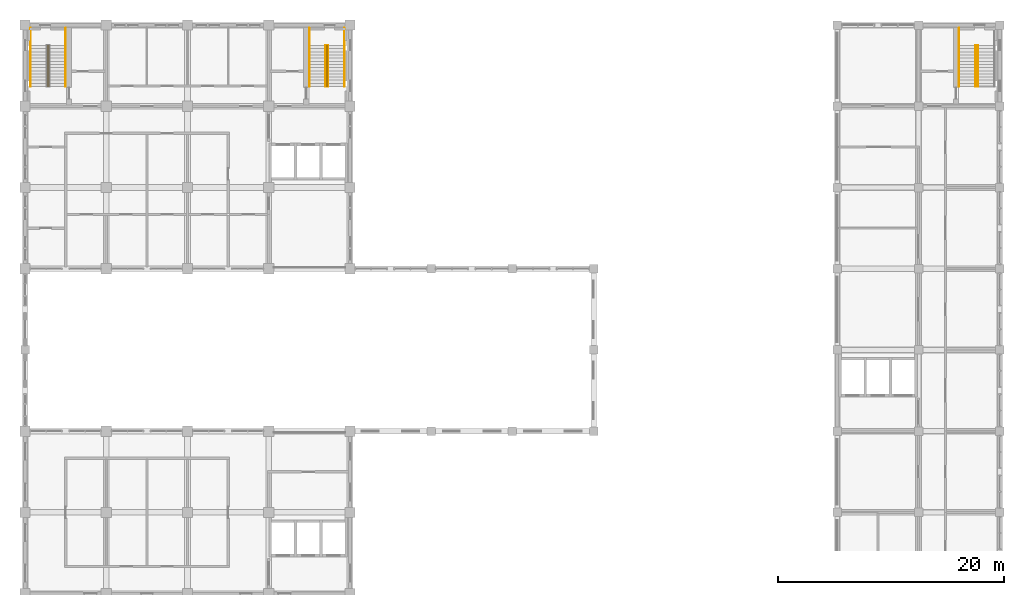
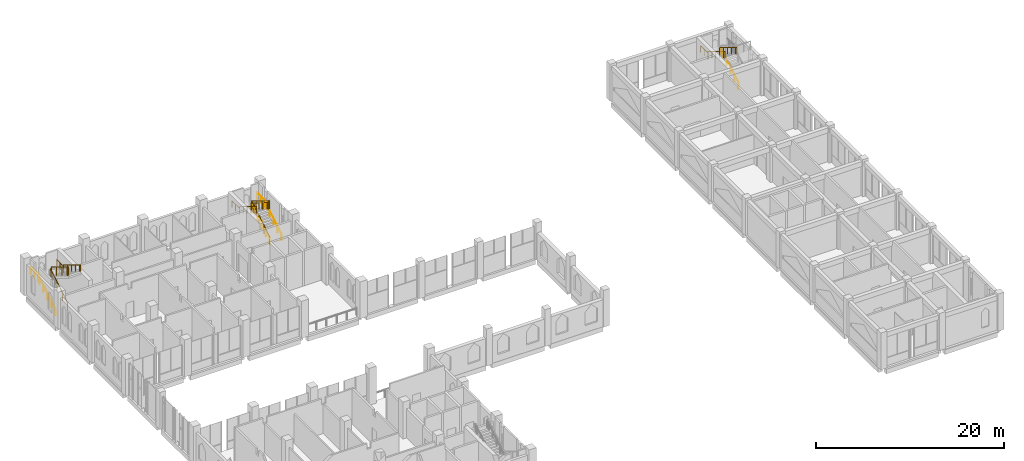
# One storey, part 38 of 39: 11 railings.
"""IFC4 building model written with IfcOpenShell, lengths in metres."""

import ifcopenshell
import ifcopenshell.guid

model = None  # the IFC model being written
_history = None  # IfcOwnerHistory: only IFC2X3 demands one
_inside = {}  # id of a spatial element -> (the spatial element, [elements in it])
_under = {}  # id of a project, library or spatial element -> (it, [spatial elements below it])
_declared = {}  # id of a project -> (the project, [libraries it declares])
_typed = {}  # id of a type object -> (the type object, [elements of that type])
_made_of = {}  # id of a material, layer set ... -> (it, [elements and type objects made of it])


def new_model(schema):
    """Start an empty IFC model of exactly this schema.

    Asked for "IFC4X3", IfcOpenShell would pick the latest addendum, in which some entities
    have other attributes; the version numbers below select the first issue.
    IFC2X3 requires an IfcOwnerHistory on every rooted entity: one is made here for all.
    """
    global model, _history
    if schema == "IFC4X3":
        model = ifcopenshell.file(schema_version=(4, 3, 0, 0))
    else:
        model = ifcopenshell.file(schema=schema)
    _inside.clear()
    _under.clear()
    _declared.clear()
    _typed.clear()
    _made_of.clear()
    _history = None
    if model.schema == "IFC2X3":
        org = make("IfcOrganization", Name="unknown")
        user = make(
            "IfcPersonAndOrganization",
            ThePerson=make("IfcPerson", FamilyName="unknown"),
            TheOrganization=org,
        )
        app = make(
            "IfcApplication",
            ApplicationDeveloper=org,
            Version="unknown",
            ApplicationFullName="unknown",
            ApplicationIdentifier="unknown",
        )
        _history = make(
            "IfcOwnerHistory",
            OwningUser=user,
            OwningApplication=app,
            ChangeAction="ADDED",
            CreationDate=0,
        )
    return model


def make(cls, **values):
    """One entity of the class cls with the attributes given. An attribute that is None is left unset."""
    return model.create_entity(
        cls, **{name: value for name, value in values.items() if value is not None}
    )


def rooted(cls, **values):
    """An entity with a GlobalId (a new one), such as an element, a storey or a relation."""
    return make(cls, GlobalId=ifcopenshell.guid.new(), OwnerHistory=_history, **values)


def si_unit(unit_type, name, prefix=None):
    """IfcSIUnit, for example si_unit("LENGTHUNIT", "METRE", prefix="MILLI")."""
    return make("IfcSIUnit", UnitType=unit_type, Prefix=prefix, Name=name)


def assignment(units):
    """IfcUnitAssignment: the units of a project."""
    return None if units is None else make("IfcUnitAssignment", Units=units)


def point(xyz):
    """IfcCartesianPoint."""
    return None if xyz is None else make("IfcCartesianPoint", Coordinates=xyz)


def direction(xyz):
    """IfcDirection."""
    return None if xyz is None else make("IfcDirection", DirectionRatios=xyz)


def frame(location, z_axis=None, x_axis=None):
    """IfcAxis2Placement3D, a coordinate frame: its origin and axes. An axis left out is left unset."""
    return make(
        "IfcAxis2Placement3D",
        Location=point(location),
        Axis=direction(z_axis),
        RefDirection=direction(x_axis),
    )


def frame_2d(location, x_axis=None):
    """IfcAxis2Placement2D, a coordinate frame in the plane: its origin and x axis."""
    return make(
        "IfcAxis2Placement2D", Location=point(location), RefDirection=direction(x_axis)
    )


def origin():
    """The frame at (0, 0, 0) with its axes left unset."""
    return frame((0.0, 0.0, 0.0))


def origin_2d():
    """The frame at (0, 0) in the plane with its x axis left unset."""
    return frame_2d((0.0, 0.0))


def place(relative_to, where):
    """IfcLocalPlacement: puts the frame where relative to a parent placement (None: the world)."""
    return make(
        "IfcLocalPlacement", PlacementRelTo=relative_to, RelativePlacement=where
    )


def context(
    kind, dimensions, precision=None, world=None, true_north=None, identifier=None
):
    """IfcGeometricRepresentationContext, for example the 3D "Model" context."""
    return make(
        "IfcGeometricRepresentationContext",
        ContextIdentifier=identifier,
        ContextType=kind,
        CoordinateSpaceDimension=dimensions,
        Precision=precision,
        WorldCoordinateSystem=world,
        TrueNorth=true_north,
    )


def subcontext(parent, identifier, kind, view, scale=None):
    """IfcGeometricRepresentationSubContext, for example "Body" below "Model"."""
    return make(
        "IfcGeometricRepresentationSubContext",
        ContextIdentifier=identifier,
        ContextType=kind,
        ParentContext=parent,
        TargetScale=scale,
        TargetView=view,
    )


def project(units=None, contexts=None):
    """IfcProject with its units and contexts."""
    return rooted(
        "IfcProject",
        Name="project",
        RepresentationContexts=contexts,
        UnitsInContext=assignment(units),
    )


def spatial(cls, under=None, at=None, **own):
    """A site, building, storey or space (cls), placed at a placement, below another one or the project."""
    s = rooted(cls, ObjectPlacement=at, **own)
    if under is not None:
        _under.setdefault(under.id(), (under, []))[1].append(s)
    return s


def profile(cls, at=None, kind="AREA", **sizes):
    """A parametric profile (cls). Its sizes go by their IFC names, for example OverallWidth=200.0."""
    return make(cls, ProfileType=kind, Position=at, **sizes)


def circle(**sizes):
    """IfcCircleProfileDef."""
    return profile("IfcCircleProfileDef", **sizes)


def extrude(swept, where, along, depth):
    """IfcExtrudedAreaSolid: the profile swept, set in the frame where, extruded along a direction by depth."""
    return make(
        "IfcExtrudedAreaSolid",
        SweptArea=swept,
        Position=where,
        ExtrudedDirection=direction(along),
        Depth=depth,
    )


def shape(context_of_items, identifier, shape_type, items):
    """IfcShapeRepresentation: the items that make up one representation, for example the "Body"."""
    return make(
        "IfcShapeRepresentation",
        ContextOfItems=context_of_items,
        RepresentationIdentifier=identifier,
        RepresentationType=shape_type,
        Items=items,
    )


def material(Name=None, Category=None):
    """IfcMaterial."""
    return make("IfcMaterial", Name=Name, Category=Category)


def made_of(thing, what):
    """Note that an element or type object is made of a material, layer set ...; save() writes the relation."""
    if what is not None:
        _made_of.setdefault(what.id(), (what, []))[1].append(thing)
    return thing


def type_object(cls, material=None, **own):
    """A type object (cls), such as IfcWallType, which elements share."""
    return made_of(rooted(cls, **own), material)


def element(
    cls,
    number,
    at=None,
    inside=None,
    cuts=None,
    type_object=None,
    material=None,
    context=None,
    identifier="Body",
    shape_type=None,
    held_by="IfcProductDefinitionShape",
    body=None,
    shapes=None,
    **own,
):
    """One element of the class cls, such as IfcWall. Its Tag is "e" and its number.

    at: its placement. inside: the storey or other place that contains it. cuts: it is an
    opening in that element (IfcRelVoidsElement). A single representation is given by context,
    identifier, shape_type and body (its items); several are given by shapes. held_by: the class
    of the entity that holds the representations. save() writes the other relations.
    """
    e = rooted(cls, Tag="e%d" % number, ObjectPlacement=at, **own)
    if body is not None:
        shapes = [shape(context, identifier, shape_type, body)]
    if shapes is not None:
        e.Representation = make(held_by, Representations=shapes)
    if inside is not None:
        _inside.setdefault(inside.id(), (inside, []))[1].append(e)
    if cuts is not None:
        rooted(
            "IfcRelVoidsElement", RelatingBuildingElement=cuts, RelatedOpeningElement=e
        )
    if type_object is not None:
        _typed.setdefault(type_object.id(), (type_object, []))[1].append(e)
    return made_of(e, material)


def aggregate(whole, parts):
    """IfcRelAggregates: a whole, such as a stair, and the parts it consists of."""
    return rooted("IfcRelAggregates", RelatingObject=whole, RelatedObjects=parts)


def save(model, path):
    """Write the relations noted so far, then the file.

    IfcRelAggregates (storeys below a building ...), IfcRelContainedInSpatialStructure (elements
    in a storey), IfcRelDefinesByType, IfcRelAssociatesMaterial and IfcRelDeclares: one each for
    every whole, place, type object, material and project.
    """
    for whole, parts in _under.values():
        aggregate(whole, parts)
    for where, things in _inside.values():
        rooted(
            "IfcRelContainedInSpatialStructure",
            RelatedElements=things,
            RelatingStructure=where,
        )
    for kind, things in _typed.values():
        rooted("IfcRelDefinesByType", RelatedObjects=things, RelatingType=kind)
    for what, things in _made_of.values():
        rooted("IfcRelAssociatesMaterial", RelatedObjects=things, RelatingMaterial=what)
    for by, libraries in _declared.values():
        rooted("IfcRelDeclares", RelatingContext=by, RelatedDefinitions=libraries)
    model.write(path)


model = new_model("IFC4")

# Units and contexts
model_context = context("Model", 3, precision=1e-05, world=origin(), true_north=direction((0.0, 1.0)))
body_context = subcontext(model_context, "Body", "Model", "MODEL_VIEW")
ifc_project = project(units=[si_unit("LENGTHUNIT", "METRE"), si_unit("AREAUNIT", "SQUARE_METRE"), si_unit("VOLUMEUNIT", "CUBIC_METRE"), si_unit("PLANEANGLEUNIT", "RADIAN"), si_unit("MASSUNIT", "GRAM", prefix="KILO")], contexts=[model_context])

# Site, building, storey
site_placement = place(None, origin())
site = spatial("IfcSite", under=ifc_project, at=site_placement, CompositionType="ELEMENT")
building_placement = place(site_placement, origin())
building = spatial("IfcBuilding", under=site, at=building_placement, Name="Silangan Lancet Faculty of Sciences", CompositionType="ELEMENT")
storey_placement = place(building_placement, frame((0.0, 0.0, 26.39990234375)))
storey = spatial("IfcBuildingStorey", under=building, at=storey_placement, Name="L05", CompositionType="ELEMENT", Elevation=26.39990234375)

# Railings
ifc_material_1 = material(Name="Steel balustrade", Category="steel")
railing_type_1 = type_object("IfcRailingType", Name="STAIR GUARD 1100", PredefinedType="GUARDRAIL", material=ifc_material_1)
railing_1_placement = place(storey_placement, frame((2.0, 52.14990234375, 0.17138671875)))
element("IfcRailing", 1, at=railing_1_placement, inside=storey, type_object=railing_type_1, Name="GUARD-NT-A-L05", PredefinedType="GUARDRAIL", context=body_context, shape_type="SweptSolid", body=[
    extrude(circle(Radius=0.02392578125, at=origin_2d()), frame((0.0, 0.0, 1.076171875), z_axis=(0.0, 0.852849614702, 0.52215661894), x_axis=(-1.0, 0.0, 0.0)), (0.0, 0.0, 1.0), 1.3134765625),
    extrude(circle(Radius=0.02392578125, at=origin_2d()), frame((0.0, 1.1201171875, 1.76171875), z_axis=(0.0, 0.852798921012, 0.522239409008), x_axis=(-1.0, 0.0, 0.0)), (0.0, 0.0, 1.0), 1.313232421875),
    extrude(circle(Radius=0.02392578125, at=origin_2d()), frame((0.0, 2.239990234375, 2.44775390625), z_axis=(0.0, 0.852849614702, 0.52215661894), x_axis=(-1.0, 0.0, 0.0)), (0.0, 0.0, 1.0), 1.3134765625),
    extrude(circle(Radius=0.02392578125, at=origin_2d()), frame((0.0, 3.360107421875, 3.13330078125), z_axis=(0.0, 0.852932391421, 0.522021393877), x_axis=(-1.0, 0.0, 0.0)), (0.0, 0.0, 1.0), 0.328369140625),
    extrude(circle(Radius=0.02392578125, at=origin_2d()), frame((0.0, 3.64013671875, 3.3046875), z_axis=(1.0, 0.0, 0.0), x_axis=(0.0, 1.0, 0.0)), (0.0, 0.0, 1.0), 0.10009765625),
    extrude(circle(Radius=0.02392578125, at=origin_2d()), frame((0.10009765625, 3.64013671875, 3.3046875), z_axis=(0.0, 0.0, 1.0), x_axis=(1.0, 0.0, 0.0)), (0.0, 0.0, 1.0), 0.17138671875),
    extrude(circle(Radius=0.02392578125, at=origin_2d()), frame((0.10009765625, 3.64013671875, 3.47607421875), z_axis=(0.0, -0.852932391421, 0.522021393877), x_axis=(1.0, 0.0, 0.0)), (0.0, 0.0, 1.0), 1.313232421875),
    extrude(circle(Radius=0.02392578125, at=origin_2d()), frame((0.10009765625, 2.52001953125, 4.16162109375), z_axis=(0.0, -0.852716117601, 0.522374600056), x_axis=(1.0, 0.0, 0.0)), (0.0, 0.0, 1.0), 1.313232421875),
    extrude(circle(Radius=0.02392578125, at=origin_2d()), frame((0.10009765625, 1.400146484375, 4.84765625), z_axis=(0.0, -0.852932391421, 0.522021393877), x_axis=(1.0, 0.0, 0.0)), (0.0, 0.0, 1.0), 1.313232421875),
    extrude(circle(Radius=0.02392578125, at=origin_2d()), frame((0.10009765625, 0.280029296875, 5.533203125), z_axis=(0.0, -0.852932391421, 0.522021393877), x_axis=(1.0, 0.0, 0.0)), (0.0, 0.0, 1.0), 0.328369140625),
    extrude(circle(Radius=0.02392578125, at=origin_2d()), frame((0.10009765625, 0.0, 5.70458984375), z_axis=(-1.0, 0.0, 0.0), x_axis=(0.0, -1.0, 0.0)), (0.0, 0.0, 1.0), 0.10009765625),
    extrude(circle(Radius=0.02099609375, at=origin_2d()), origin(), (0.0, 0.0, 1.0), 1.052001953125),
    extrude(circle(Radius=0.02099609375, at=origin_2d()), frame((0.0, 1.1201171875, 0.685791015625)), (0.0, 0.0, 1.0), 1.052001953125),
    extrude(circle(Radius=0.02099609375, at=origin_2d()), frame((0.0, 2.239990234375, 1.37158203125)), (0.0, 0.0, 1.0), 1.052001953125),
    extrude(circle(Radius=0.02099609375, at=origin_2d()), frame((0.0, 3.360107421875, 2.057373046875)), (0.0, 0.0, 1.0), 1.052001953125),
    extrude(circle(Radius=0.02099609375, at=origin_2d()), frame((0.0, 3.64013671875, 2.228759765625)), (0.0, 0.0, 1.0), 1.052001953125),
    extrude(circle(Radius=0.02099609375, at=origin_2d()), frame((0.10009765625, 3.64013671875, 2.228759765625)), (0.0, 0.0, 1.0), 1.052001953125),
    extrude(circle(Radius=0.02099609375, at=origin_2d()), frame((0.10009765625, 3.64013671875, 2.400146484375)), (0.0, 0.0, 1.0), 1.052001953125),
    extrude(circle(Radius=0.02099609375, at=origin_2d()), frame((0.10009765625, 2.52001953125, 3.085693359375)), (0.0, 0.0, 1.0), 1.052001953125),
    extrude(circle(Radius=0.02099609375, at=origin_2d()), frame((0.10009765625, 1.400146484375, 3.771728515625)), (0.0, 0.0, 1.0), 1.052001953125),
    extrude(circle(Radius=0.02099609375, at=origin_2d()), frame((0.10009765625, 0.280029296875, 4.457275390625)), (0.0, 0.0, 1.0), 1.052001953125),
    extrude(circle(Radius=0.02099609375, at=origin_2d()), frame((0.10009765625, 0.0, 4.628662109375)), (0.0, 0.0, 1.0), 1.052001953125),
    extrude(circle(Radius=0.02099609375, at=origin_2d()), frame((0.0, 0.0, 4.628662109375)), (0.0, 0.0, 1.0), 1.052001953125),
])
railing_2_placement = place(storey_placement, frame((26.800048828125, 52.14990234375, 0.17138671875)))
element("IfcRailing", 2, at=railing_2_placement, inside=storey, type_object=railing_type_1, Name="GUARD-NT-B-L05", PredefinedType="GUARDRAIL", context=body_context, shape_type="SweptSolid", body=[
    extrude(circle(Radius=0.02392578125, at=origin_2d()), frame((0.0, 0.0, 1.076171875), z_axis=(0.0, 0.852849614702, 0.52215661894), x_axis=(-1.0, 0.0, 0.0)), (0.0, 0.0, 1.0), 1.3134765625),
    extrude(circle(Radius=0.02392578125, at=origin_2d()), frame((0.0, 1.1201171875, 1.76171875), z_axis=(0.0, 0.852798921012, 0.522239409008), x_axis=(-1.0, 0.0, 0.0)), (0.0, 0.0, 1.0), 1.313232421875),
    extrude(circle(Radius=0.02392578125, at=origin_2d()), frame((0.0, 2.239990234375, 2.44775390625), z_axis=(0.0, 0.852849614702, 0.52215661894), x_axis=(-1.0, 0.0, 0.0)), (0.0, 0.0, 1.0), 1.3134765625),
    extrude(circle(Radius=0.02392578125, at=origin_2d()), frame((0.0, 3.360107421875, 3.13330078125), z_axis=(0.0, 0.852932391421, 0.522021393877), x_axis=(-1.0, 0.0, 0.0)), (0.0, 0.0, 1.0), 0.328369140625),
    extrude(circle(Radius=0.02392578125, at=origin_2d()), frame((0.0, 3.64013671875, 3.3046875), z_axis=(-1.0, 0.0, 0.0), x_axis=(0.0, -1.0, 0.0)), (0.0, 0.0, 1.0), 0.10009765625),
    extrude(circle(Radius=0.02392578125, at=origin_2d()), frame((-0.10009765625, 3.64013671875, 3.3046875), z_axis=(0.0, 0.0, 1.0), x_axis=(1.0, 0.0, 0.0)), (0.0, 0.0, 1.0), 0.17138671875),
    extrude(circle(Radius=0.02392578125, at=origin_2d()), frame((-0.10009765625, 3.64013671875, 3.47607421875), z_axis=(0.0, -0.852932391421, 0.522021393877), x_axis=(1.0, 0.0, 0.0)), (0.0, 0.0, 1.0), 1.313232421875),
    extrude(circle(Radius=0.02392578125, at=origin_2d()), frame((-0.10009765625, 2.52001953125, 4.16162109375), z_axis=(0.0, -0.852716117601, 0.522374600056), x_axis=(1.0, 0.0, 0.0)), (0.0, 0.0, 1.0), 1.313232421875),
    extrude(circle(Radius=0.02392578125, at=origin_2d()), frame((-0.10009765625, 1.400146484375, 4.84765625), z_axis=(0.0, -0.852932391421, 0.522021393877), x_axis=(1.0, 0.0, 0.0)), (0.0, 0.0, 1.0), 1.313232421875),
    extrude(circle(Radius=0.02392578125, at=origin_2d()), frame((-0.10009765625, 0.280029296875, 5.533203125), z_axis=(0.0, -0.852932391421, 0.522021393877), x_axis=(1.0, 0.0, 0.0)), (0.0, 0.0, 1.0), 0.328369140625),
    extrude(circle(Radius=0.02392578125, at=origin_2d()), frame((-0.10009765625, 0.0, 5.70458984375), z_axis=(1.0, 0.0, 0.0), x_axis=(0.0, 1.0, 0.0)), (0.0, 0.0, 1.0), 0.10009765625),
    extrude(circle(Radius=0.02099609375, at=origin_2d()), origin(), (0.0, 0.0, 1.0), 1.052001953125),
    extrude(circle(Radius=0.02099609375, at=origin_2d()), frame((0.0, 1.1201171875, 0.685791015625)), (0.0, 0.0, 1.0), 1.052001953125),
    extrude(circle(Radius=0.02099609375, at=origin_2d()), frame((0.0, 2.239990234375, 1.37158203125)), (0.0, 0.0, 1.0), 1.052001953125),
    extrude(circle(Radius=0.02099609375, at=origin_2d()), frame((0.0, 3.360107421875, 2.057373046875)), (0.0, 0.0, 1.0), 1.052001953125),
    extrude(circle(Radius=0.02099609375, at=origin_2d()), frame((0.0, 3.64013671875, 2.228759765625)), (0.0, 0.0, 1.0), 1.052001953125),
    extrude(circle(Radius=0.02099609375, at=origin_2d()), frame((-0.10009765625, 3.64013671875, 2.228759765625)), (0.0, 0.0, 1.0), 1.052001953125),
    extrude(circle(Radius=0.02099609375, at=origin_2d()), frame((-0.10009765625, 3.64013671875, 2.400146484375)), (0.0, 0.0, 1.0), 1.052001953125),
    extrude(circle(Radius=0.02099609375, at=origin_2d()), frame((-0.10009765625, 2.52001953125, 3.085693359375)), (0.0, 0.0, 1.0), 1.052001953125),
    extrude(circle(Radius=0.02099609375, at=origin_2d()), frame((-0.10009765625, 1.400146484375, 3.771728515625)), (0.0, 0.0, 1.0), 1.052001953125),
    extrude(circle(Radius=0.02099609375, at=origin_2d()), frame((-0.10009765625, 0.280029296875, 4.457275390625)), (0.0, 0.0, 1.0), 1.052001953125),
    extrude(circle(Radius=0.02099609375, at=origin_2d()), frame((-0.10009765625, 0.0, 4.628662109375)), (0.0, 0.0, 1.0), 1.052001953125),
    extrude(circle(Radius=0.02099609375, at=origin_2d()), frame((0.0, 0.0, 4.628662109375)), (0.0, 0.0, 1.0), 1.052001953125),
])
ifc_material_2 = material(Name="Stainless steel", Category="steel")
railing_type_2 = type_object("IfcRailingType", Name="STAIR HANDRAIL 865", PredefinedType="HANDRAIL", material=ifc_material_2)
railing_3_placement = place(storey_placement, frame((84.47509765625, 52.14990234375, 0.17138671875)))
element("IfcRailing", 3, at=railing_3_placement, inside=storey, type_object=railing_type_2, Name="HANDRAIL-EB-B-L05-I1", PredefinedType="HANDRAIL", context=body_context, shape_type="SweptSolid", body=[
    extrude(circle(Radius=0.02392578125, at=origin_2d()), frame((0.0, 0.0, 0.8408203125), z_axis=(0.0, 0.852822021269, 0.522201685212), x_axis=(-1.0, 0.0, 0.0)), (0.0, 0.0, 1.0), 0.985107421875),
    extrude(circle(Radius=0.02392578125, at=origin_2d()), frame((0.0, 0.840087890625, 1.35546875), z_axis=(0.0, 0.852822021269, 0.522201685212), x_axis=(-1.0, 0.0, 0.0)), (0.0, 0.0, 1.0), 0.985107421875),
    extrude(circle(Radius=0.02392578125, at=origin_2d()), frame((0.0, 1.68017578125, 1.86962890625), z_axis=(0.0, 0.85286482292, 0.522131778218), x_axis=(-1.0, 0.0, 0.0)), (0.0, 0.0, 1.0), 0.984619140625),
    extrude(circle(Radius=0.02392578125, at=origin_2d()), frame((0.0, 2.52001953125, 2.3837890625), z_axis=(0.0, 0.852822021269, 0.522201685212), x_axis=(-1.0, 0.0, 0.0)), (0.0, 0.0, 1.0), 0.985107421875),
    extrude(circle(Radius=0.02392578125, at=origin_2d()), frame((0.0, 3.360107421875, 2.8984375), z_axis=(0.0, 0.852932391421, 0.522021393877), x_axis=(-1.0, 0.0, 0.0)), (0.0, 0.0, 1.0), 0.328369140625),
    extrude(circle(Radius=0.02099609375, at=origin_2d()), origin(), (0.0, 0.0, 1.0), 0.81689453125),
    extrude(circle(Radius=0.02099609375, at=origin_2d()), frame((0.0, 0.840087890625, 0.514404296875)), (0.0, 0.0, 1.0), 0.81689453125),
    extrude(circle(Radius=0.02099609375, at=origin_2d()), frame((0.0, 1.68017578125, 1.02880859375)), (0.0, 0.0, 1.0), 0.81689453125),
    extrude(circle(Radius=0.02099609375, at=origin_2d()), frame((0.0, 2.52001953125, 1.54296875)), (0.0, 0.0, 1.0), 0.81689453125),
    extrude(circle(Radius=0.02099609375, at=origin_2d()), frame((0.0, 3.360107421875, 2.057373046875)), (0.0, 0.0, 1.0), 0.81689453125),
    extrude(circle(Radius=0.02099609375, at=origin_2d()), frame((0.0, 3.64013671875, 2.228759765625)), (0.0, 0.0, 1.0), 0.81689453125),
])
railing_4_placement = place(storey_placement, frame((82.800048828125, 57.324951171875, 2.400146484375)))
element("IfcRailing", 4, at=railing_4_placement, inside=storey, type_object=railing_type_2, Name="HANDRAIL-EB-B-L05-O2", PredefinedType="HANDRAIL", context=body_context, shape_type="SweptSolid", body=[
    extrude(circle(Radius=0.02392578125, at=origin_2d()), frame((0.0, 0.0, 0.8408203125), z_axis=(0.0, -1.0, 0.0), x_axis=(1.0, 0.0, 0.0)), (0.0, 0.0, 1.0), 1.534912109375),
    extrude(circle(Radius=0.02392578125, at=origin_2d()), frame((0.0, -1.534912109375, 0.8408203125), z_axis=(0.0, 0.0, 1.0), x_axis=(1.0, 0.0, 0.0)), (0.0, 0.0, 1.0), 0.17138671875),
    extrude(circle(Radius=0.02392578125, at=origin_2d()), frame((0.0, -1.534912109375, 1.01220703125), z_axis=(0.0, -0.852932391421, 0.522021393877), x_axis=(1.0, 0.0, 0.0)), (0.0, 0.0, 1.0), 0.98486328125),
    extrude(circle(Radius=0.02392578125, at=origin_2d()), frame((0.0, -2.375, 1.5263671875), z_axis=(0.0, -0.852754414843, 0.522312079092), x_axis=(1.0, 0.0, 0.0)), (0.0, 0.0, 1.0), 0.98486328125),
    extrude(circle(Radius=0.02392578125, at=origin_2d()), frame((0.0, -3.21484375, 2.041015625), z_axis=(0.0, -0.852822021269, 0.522201685212), x_axis=(1.0, 0.0, 0.0)), (0.0, 0.0, 1.0), 0.985107421875),
    extrude(circle(Radius=0.02392578125, at=origin_2d()), frame((0.0, -4.054931640625, 2.55517578125), z_axis=(0.0, -0.852932391421, 0.522021393877), x_axis=(1.0, 0.0, 0.0)), (0.0, 0.0, 1.0), 0.98486328125),
    extrude(circle(Radius=0.02392578125, at=origin_2d()), frame((0.0, -4.89501953125, 3.0693359375), z_axis=(0.0, -0.852932391421, 0.522021393877), x_axis=(1.0, 0.0, 0.0)), (0.0, 0.0, 1.0), 0.328369140625),
    extrude(circle(Radius=0.02099609375, at=origin_2d()), origin(), (0.0, 0.0, 1.0), 0.81689453125),
    extrude(circle(Radius=0.02099609375, at=origin_2d()), frame((0.0, -0.767578125, 0.0)), (0.0, 0.0, 1.0), 0.81689453125),
    extrude(circle(Radius=0.02099609375, at=origin_2d()), frame((0.0, -1.534912109375, 0.0)), (0.0, 0.0, 1.0), 0.81689453125),
    extrude(circle(Radius=0.02099609375, at=origin_2d()), frame((0.0, -1.534912109375, 0.17138671875)), (0.0, 0.0, 1.0), 0.81689453125),
    extrude(circle(Radius=0.02099609375, at=origin_2d()), frame((0.0, -2.375, 0.685546875)), (0.0, 0.0, 1.0), 0.81689453125),
    extrude(circle(Radius=0.02099609375, at=origin_2d()), frame((0.0, -3.21484375, 1.199951171875)), (0.0, 0.0, 1.0), 0.81689453125),
    extrude(circle(Radius=0.02099609375, at=origin_2d()), frame((0.0, -4.054931640625, 1.71435546875)), (0.0, 0.0, 1.0), 0.81689453125),
    extrude(circle(Radius=0.02099609375, at=origin_2d()), frame((0.0, -4.89501953125, 2.228515625)), (0.0, 0.0, 1.0), 0.81689453125),
    extrude(circle(Radius=0.02099609375, at=origin_2d()), frame((0.0, -5.175048828125, 2.39990234375)), (0.0, 0.0, 1.0), 0.81689453125),
])
railing_5_placement = place(storey_placement, frame((84.25, 55.7900390625, 2.571533203125)))
element("IfcRailing", 5, at=railing_5_placement, inside=storey, type_object=railing_type_2, Name="HANDRAIL-EB-B-L05-I2", PredefinedType="HANDRAIL", context=body_context, shape_type="SweptSolid", body=[
    extrude(circle(Radius=0.02392578125, at=origin_2d()), frame((0.0, 0.0, 0.8408203125), z_axis=(0.0, -0.852932391421, 0.522021393877), x_axis=(1.0, 0.0, 0.0)), (0.0, 0.0, 1.0), 0.98486328125),
    extrude(circle(Radius=0.02392578125, at=origin_2d()), frame((0.0, -0.840087890625, 1.35498046875), z_axis=(0.0, -0.852754414843, 0.522312079092), x_axis=(1.0, 0.0, 0.0)), (0.0, 0.0, 1.0), 0.98486328125),
    extrude(circle(Radius=0.02392578125, at=origin_2d()), frame((0.0, -1.679931640625, 1.86962890625), z_axis=(0.0, -0.852822021269, 0.522201685212), x_axis=(1.0, 0.0, 0.0)), (0.0, 0.0, 1.0), 0.985107421875),
    extrude(circle(Radius=0.02392578125, at=origin_2d()), frame((0.0, -2.52001953125, 2.3837890625), z_axis=(0.0, -0.852932391421, 0.522021393877), x_axis=(1.0, 0.0, 0.0)), (0.0, 0.0, 1.0), 0.98486328125),
    extrude(circle(Radius=0.02392578125, at=origin_2d()), frame((0.0, -3.360107421875, 2.89794921875), z_axis=(0.0, -0.852932391421, 0.522021393877), x_axis=(1.0, 0.0, 0.0)), (0.0, 0.0, 1.0), 0.328369140625),
    extrude(circle(Radius=0.02099609375, at=origin_2d()), origin(), (0.0, 0.0, 1.0), 0.81689453125),
    extrude(circle(Radius=0.02099609375, at=origin_2d()), frame((0.0, -0.840087890625, 0.51416015625)), (0.0, 0.0, 1.0), 0.81689453125),
    extrude(circle(Radius=0.02099609375, at=origin_2d()), frame((0.0, -1.679931640625, 1.028564453125)), (0.0, 0.0, 1.0), 0.81689453125),
    extrude(circle(Radius=0.02099609375, at=origin_2d()), frame((0.0, -2.52001953125, 1.54296875)), (0.0, 0.0, 1.0), 0.81689453125),
    extrude(circle(Radius=0.02099609375, at=origin_2d()), frame((0.0, -3.360107421875, 2.05712890625)), (0.0, 0.0, 1.0), 0.81689453125),
    extrude(circle(Radius=0.02099609375, at=origin_2d()), frame((0.0, -3.64013671875, 2.228515625)), (0.0, 0.0, 1.0), 0.81689453125),
])
railing_6_placement = place(storey_placement, frame((0.5, 52.14990234375, 0.17138671875)))
element("IfcRailing", 6, at=railing_6_placement, inside=storey, type_object=railing_type_2, Name="HANDRAIL-NT-A-L05-O1", PredefinedType="HANDRAIL", context=body_context, shape_type="SweptSolid", body=[
    extrude(circle(Radius=0.02392578125, at=origin_2d()), frame((0.0, 0.0, 0.8408203125), z_axis=(0.0, 0.852822021269, 0.522201685212), x_axis=(-1.0, 0.0, 0.0)), (0.0, 0.0, 1.0), 0.985107421875),
    extrude(circle(Radius=0.02392578125, at=origin_2d()), frame((0.0, 0.840087890625, 1.35546875), z_axis=(0.0, 0.852822021269, 0.522201685212), x_axis=(-1.0, 0.0, 0.0)), (0.0, 0.0, 1.0), 0.985107421875),
    extrude(circle(Radius=0.02392578125, at=origin_2d()), frame((0.0, 1.68017578125, 1.86962890625), z_axis=(0.0, 0.85286482292, 0.522131778218), x_axis=(-1.0, 0.0, 0.0)), (0.0, 0.0, 1.0), 0.984619140625),
    extrude(circle(Radius=0.02392578125, at=origin_2d()), frame((0.0, 2.52001953125, 2.3837890625), z_axis=(0.0, 0.852822021269, 0.522201685212), x_axis=(-1.0, 0.0, 0.0)), (0.0, 0.0, 1.0), 0.985107421875),
    extrude(circle(Radius=0.02392578125, at=origin_2d()), frame((0.0, 3.360107421875, 2.8984375), z_axis=(0.0, 0.852932391421, 0.522021393877), x_axis=(-1.0, 0.0, 0.0)), (0.0, 0.0, 1.0), 0.328369140625),
    extrude(circle(Radius=0.02392578125, at=origin_2d()), frame((0.0, 3.64013671875, 3.06982421875), z_axis=(0.0, 1.0, 0.0), x_axis=(-1.0, 0.0, 0.0)), (0.0, 0.0, 1.0), 1.534912109375),
    extrude(circle(Radius=0.02099609375, at=origin_2d()), origin(), (0.0, 0.0, 1.0), 0.81689453125),
    extrude(circle(Radius=0.02099609375, at=origin_2d()), frame((0.0, 0.840087890625, 0.514404296875)), (0.0, 0.0, 1.0), 0.81689453125),
    extrude(circle(Radius=0.02099609375, at=origin_2d()), frame((0.0, 1.68017578125, 1.02880859375)), (0.0, 0.0, 1.0), 0.81689453125),
    extrude(circle(Radius=0.02099609375, at=origin_2d()), frame((0.0, 2.52001953125, 1.54296875)), (0.0, 0.0, 1.0), 0.81689453125),
    extrude(circle(Radius=0.02099609375, at=origin_2d()), frame((0.0, 3.360107421875, 2.057373046875)), (0.0, 0.0, 1.0), 0.81689453125),
    extrude(circle(Radius=0.02099609375, at=origin_2d()), frame((0.0, 3.64013671875, 2.228759765625)), (0.0, 0.0, 1.0), 0.81689453125),
    extrude(circle(Radius=0.02099609375, at=origin_2d()), frame((0.0, 4.40771484375, 2.228759765625)), (0.0, 0.0, 1.0), 0.81689453125),
    extrude(circle(Radius=0.02099609375, at=origin_2d()), frame((0.0, 5.175048828125, 2.228759765625)), (0.0, 0.0, 1.0), 0.81689453125),
])
railing_7_placement = place(storey_placement, frame((3.60009765625, 57.324951171875, 2.400146484375)))
element("IfcRailing", 7, at=railing_7_placement, inside=storey, type_object=railing_type_2, Name="HANDRAIL-NT-A-L05-O2", PredefinedType="HANDRAIL", context=body_context, shape_type="SweptSolid", body=[
    extrude(circle(Radius=0.02392578125, at=origin_2d()), frame((0.0, 0.0, 0.8408203125), z_axis=(0.0, -1.0, 0.0), x_axis=(1.0, 0.0, 0.0)), (0.0, 0.0, 1.0), 1.534912109375),
    extrude(circle(Radius=0.02392578125, at=origin_2d()), frame((0.0, -1.534912109375, 0.8408203125), z_axis=(0.0, 0.0, 1.0), x_axis=(1.0, 0.0, 0.0)), (0.0, 0.0, 1.0), 0.17138671875),
    extrude(circle(Radius=0.02392578125, at=origin_2d()), frame((0.0, -1.534912109375, 1.01220703125), z_axis=(0.0, -0.852932391421, 0.522021393877), x_axis=(1.0, 0.0, 0.0)), (0.0, 0.0, 1.0), 0.98486328125),
    extrude(circle(Radius=0.02392578125, at=origin_2d()), frame((0.0, -2.375, 1.5263671875), z_axis=(0.0, -0.852754414843, 0.522312079092), x_axis=(1.0, 0.0, 0.0)), (0.0, 0.0, 1.0), 0.98486328125),
    extrude(circle(Radius=0.02392578125, at=origin_2d()), frame((0.0, -3.21484375, 2.041015625), z_axis=(0.0, -0.852822021269, 0.522201685212), x_axis=(1.0, 0.0, 0.0)), (0.0, 0.0, 1.0), 0.985107421875),
    extrude(circle(Radius=0.02392578125, at=origin_2d()), frame((0.0, -4.054931640625, 2.55517578125), z_axis=(0.0, -0.852932391421, 0.522021393877), x_axis=(1.0, 0.0, 0.0)), (0.0, 0.0, 1.0), 0.98486328125),
    extrude(circle(Radius=0.02392578125, at=origin_2d()), frame((0.0, -4.89501953125, 3.0693359375), z_axis=(0.0, -0.852932391421, 0.522021393877), x_axis=(1.0, 0.0, 0.0)), (0.0, 0.0, 1.0), 0.328369140625),
    extrude(circle(Radius=0.02099609375, at=origin_2d()), origin(), (0.0, 0.0, 1.0), 0.81689453125),
    extrude(circle(Radius=0.02099609375, at=origin_2d()), frame((0.0, -0.767578125, 0.0)), (0.0, 0.0, 1.0), 0.81689453125),
    extrude(circle(Radius=0.02099609375, at=origin_2d()), frame((0.0, -1.534912109375, 0.0)), (0.0, 0.0, 1.0), 0.81689453125),
    extrude(circle(Radius=0.02099609375, at=origin_2d()), frame((0.0, -1.534912109375, 0.17138671875)), (0.0, 0.0, 1.0), 0.81689453125),
    extrude(circle(Radius=0.02099609375, at=origin_2d()), frame((0.0, -2.375, 0.685546875)), (0.0, 0.0, 1.0), 0.81689453125),
    extrude(circle(Radius=0.02099609375, at=origin_2d()), frame((0.0, -3.21484375, 1.199951171875)), (0.0, 0.0, 1.0), 0.81689453125),
    extrude(circle(Radius=0.02099609375, at=origin_2d()), frame((0.0, -4.054931640625, 1.71435546875)), (0.0, 0.0, 1.0), 0.81689453125),
    extrude(circle(Radius=0.02099609375, at=origin_2d()), frame((0.0, -4.89501953125, 2.228515625)), (0.0, 0.0, 1.0), 0.81689453125),
    extrude(circle(Radius=0.02099609375, at=origin_2d()), frame((0.0, -5.175048828125, 2.39990234375)), (0.0, 0.0, 1.0), 0.81689453125),
])
railing_8_placement = place(storey_placement, frame((28.300048828125, 52.14990234375, 0.17138671875)))
element("IfcRailing", 8, at=railing_8_placement, inside=storey, type_object=railing_type_2, Name="HANDRAIL-NT-B-L05-O1", PredefinedType="HANDRAIL", context=body_context, shape_type="SweptSolid", body=[
    extrude(circle(Radius=0.02392578125, at=origin_2d()), frame((0.0, 0.0, 0.8408203125), z_axis=(0.0, 0.852822021269, 0.522201685212), x_axis=(-1.0, 0.0, 0.0)), (0.0, 0.0, 1.0), 0.985107421875),
    extrude(circle(Radius=0.02392578125, at=origin_2d()), frame((0.0, 0.840087890625, 1.35546875), z_axis=(0.0, 0.852822021269, 0.522201685212), x_axis=(-1.0, 0.0, 0.0)), (0.0, 0.0, 1.0), 0.985107421875),
    extrude(circle(Radius=0.02392578125, at=origin_2d()), frame((0.0, 1.68017578125, 1.86962890625), z_axis=(0.0, 0.85286482292, 0.522131778218), x_axis=(-1.0, 0.0, 0.0)), (0.0, 0.0, 1.0), 0.984619140625),
    extrude(circle(Radius=0.02392578125, at=origin_2d()), frame((0.0, 2.52001953125, 2.3837890625), z_axis=(0.0, 0.852822021269, 0.522201685212), x_axis=(-1.0, 0.0, 0.0)), (0.0, 0.0, 1.0), 0.985107421875),
    extrude(circle(Radius=0.02392578125, at=origin_2d()), frame((0.0, 3.360107421875, 2.8984375), z_axis=(0.0, 0.852932391421, 0.522021393877), x_axis=(-1.0, 0.0, 0.0)), (0.0, 0.0, 1.0), 0.328369140625),
    extrude(circle(Radius=0.02392578125, at=origin_2d()), frame((0.0, 3.64013671875, 3.06982421875), z_axis=(0.0, 1.0, 0.0), x_axis=(-1.0, 0.0, 0.0)), (0.0, 0.0, 1.0), 1.534912109375),
    extrude(circle(Radius=0.02099609375, at=origin_2d()), origin(), (0.0, 0.0, 1.0), 0.81689453125),
    extrude(circle(Radius=0.02099609375, at=origin_2d()), frame((0.0, 0.840087890625, 0.514404296875)), (0.0, 0.0, 1.0), 0.81689453125),
    extrude(circle(Radius=0.02099609375, at=origin_2d()), frame((0.0, 1.68017578125, 1.02880859375)), (0.0, 0.0, 1.0), 0.81689453125),
    extrude(circle(Radius=0.02099609375, at=origin_2d()), frame((0.0, 2.52001953125, 1.54296875)), (0.0, 0.0, 1.0), 0.81689453125),
    extrude(circle(Radius=0.02099609375, at=origin_2d()), frame((0.0, 3.360107421875, 2.057373046875)), (0.0, 0.0, 1.0), 0.81689453125),
    extrude(circle(Radius=0.02099609375, at=origin_2d()), frame((0.0, 3.64013671875, 2.228759765625)), (0.0, 0.0, 1.0), 0.81689453125),
    extrude(circle(Radius=0.02099609375, at=origin_2d()), frame((0.0, 4.40771484375, 2.228759765625)), (0.0, 0.0, 1.0), 0.81689453125),
    extrude(circle(Radius=0.02099609375, at=origin_2d()), frame((0.0, 5.175048828125, 2.228759765625)), (0.0, 0.0, 1.0), 0.81689453125),
])
railing_9_placement = place(storey_placement, frame((26.85009765625, 52.14990234375, 0.17138671875)))
element("IfcRailing", 9, at=railing_9_placement, inside=storey, type_object=railing_type_2, Name="HANDRAIL-NT-B-L05-I1", PredefinedType="HANDRAIL", context=body_context, shape_type="SweptSolid", body=[
    extrude(circle(Radius=0.02392578125, at=origin_2d()), frame((0.0, 0.0, 0.8408203125), z_axis=(0.0, 0.852822021269, 0.522201685212), x_axis=(-1.0, 0.0, 0.0)), (0.0, 0.0, 1.0), 0.985107421875),
    extrude(circle(Radius=0.02392578125, at=origin_2d()), frame((0.0, 0.840087890625, 1.35546875), z_axis=(0.0, 0.852822021269, 0.522201685212), x_axis=(-1.0, 0.0, 0.0)), (0.0, 0.0, 1.0), 0.985107421875),
    extrude(circle(Radius=0.02392578125, at=origin_2d()), frame((0.0, 1.68017578125, 1.86962890625), z_axis=(0.0, 0.85286482292, 0.522131778218), x_axis=(-1.0, 0.0, 0.0)), (0.0, 0.0, 1.0), 0.984619140625),
    extrude(circle(Radius=0.02392578125, at=origin_2d()), frame((0.0, 2.52001953125, 2.3837890625), z_axis=(0.0, 0.852822021269, 0.522201685212), x_axis=(-1.0, 0.0, 0.0)), (0.0, 0.0, 1.0), 0.985107421875),
    extrude(circle(Radius=0.02392578125, at=origin_2d()), frame((0.0, 3.360107421875, 2.8984375), z_axis=(0.0, 0.852932391421, 0.522021393877), x_axis=(-1.0, 0.0, 0.0)), (0.0, 0.0, 1.0), 0.328369140625),
    extrude(circle(Radius=0.02099609375, at=origin_2d()), origin(), (0.0, 0.0, 1.0), 0.81689453125),
    extrude(circle(Radius=0.02099609375, at=origin_2d()), frame((0.0, 0.840087890625, 0.514404296875)), (0.0, 0.0, 1.0), 0.81689453125),
    extrude(circle(Radius=0.02099609375, at=origin_2d()), frame((0.0, 1.68017578125, 1.02880859375)), (0.0, 0.0, 1.0), 0.81689453125),
    extrude(circle(Radius=0.02099609375, at=origin_2d()), frame((0.0, 2.52001953125, 1.54296875)), (0.0, 0.0, 1.0), 0.81689453125),
    extrude(circle(Radius=0.02099609375, at=origin_2d()), frame((0.0, 3.360107421875, 2.057373046875)), (0.0, 0.0, 1.0), 0.81689453125),
    extrude(circle(Radius=0.02099609375, at=origin_2d()), frame((0.0, 3.64013671875, 2.228759765625)), (0.0, 0.0, 1.0), 0.81689453125),
])
railing_10_placement = place(storey_placement, frame((25.199951171875, 57.324951171875, 2.400146484375)))
element("IfcRailing", 10, at=railing_10_placement, inside=storey, type_object=railing_type_2, Name="HANDRAIL-NT-B-L05-O2", PredefinedType="HANDRAIL", context=body_context, shape_type="SweptSolid", body=[
    extrude(circle(Radius=0.02392578125, at=origin_2d()), frame((0.0, 0.0, 0.8408203125), z_axis=(0.0, -1.0, 0.0), x_axis=(1.0, 0.0, 0.0)), (0.0, 0.0, 1.0), 1.534912109375),
    extrude(circle(Radius=0.02392578125, at=origin_2d()), frame((0.0, -1.534912109375, 0.8408203125), z_axis=(0.0, 0.0, 1.0), x_axis=(1.0, 0.0, 0.0)), (0.0, 0.0, 1.0), 0.17138671875),
    extrude(circle(Radius=0.02392578125, at=origin_2d()), frame((0.0, -1.534912109375, 1.01220703125), z_axis=(0.0, -0.852932391421, 0.522021393877), x_axis=(1.0, 0.0, 0.0)), (0.0, 0.0, 1.0), 0.98486328125),
    extrude(circle(Radius=0.02392578125, at=origin_2d()), frame((0.0, -2.375, 1.5263671875), z_axis=(0.0, -0.852754414843, 0.522312079092), x_axis=(1.0, 0.0, 0.0)), (0.0, 0.0, 1.0), 0.98486328125),
    extrude(circle(Radius=0.02392578125, at=origin_2d()), frame((0.0, -3.21484375, 2.041015625), z_axis=(0.0, -0.852822021269, 0.522201685212), x_axis=(1.0, 0.0, 0.0)), (0.0, 0.0, 1.0), 0.985107421875),
    extrude(circle(Radius=0.02392578125, at=origin_2d()), frame((0.0, -4.054931640625, 2.55517578125), z_axis=(0.0, -0.852932391421, 0.522021393877), x_axis=(1.0, 0.0, 0.0)), (0.0, 0.0, 1.0), 0.98486328125),
    extrude(circle(Radius=0.02392578125, at=origin_2d()), frame((0.0, -4.89501953125, 3.0693359375), z_axis=(0.0, -0.852932391421, 0.522021393877), x_axis=(1.0, 0.0, 0.0)), (0.0, 0.0, 1.0), 0.328369140625),
    extrude(circle(Radius=0.02099609375, at=origin_2d()), origin(), (0.0, 0.0, 1.0), 0.81689453125),
    extrude(circle(Radius=0.02099609375, at=origin_2d()), frame((0.0, -0.767578125, 0.0)), (0.0, 0.0, 1.0), 0.81689453125),
    extrude(circle(Radius=0.02099609375, at=origin_2d()), frame((0.0, -1.534912109375, 0.0)), (0.0, 0.0, 1.0), 0.81689453125),
    extrude(circle(Radius=0.02099609375, at=origin_2d()), frame((0.0, -1.534912109375, 0.17138671875)), (0.0, 0.0, 1.0), 0.81689453125),
    extrude(circle(Radius=0.02099609375, at=origin_2d()), frame((0.0, -2.375, 0.685546875)), (0.0, 0.0, 1.0), 0.81689453125),
    extrude(circle(Radius=0.02099609375, at=origin_2d()), frame((0.0, -3.21484375, 1.199951171875)), (0.0, 0.0, 1.0), 0.81689453125),
    extrude(circle(Radius=0.02099609375, at=origin_2d()), frame((0.0, -4.054931640625, 1.71435546875)), (0.0, 0.0, 1.0), 0.81689453125),
    extrude(circle(Radius=0.02099609375, at=origin_2d()), frame((0.0, -4.89501953125, 2.228515625)), (0.0, 0.0, 1.0), 0.81689453125),
    extrude(circle(Radius=0.02099609375, at=origin_2d()), frame((0.0, -5.175048828125, 2.39990234375)), (0.0, 0.0, 1.0), 0.81689453125),
])
railing_11_placement = place(storey_placement, frame((26.64990234375, 55.7900390625, 2.571533203125)))
element("IfcRailing", 11, at=railing_11_placement, inside=storey, type_object=railing_type_2, Name="HANDRAIL-NT-B-L05-I2", PredefinedType="HANDRAIL", context=body_context, shape_type="SweptSolid", body=[
    extrude(circle(Radius=0.02392578125, at=origin_2d()), frame((0.0, 0.0, 0.8408203125), z_axis=(0.0, -0.852932391421, 0.522021393877), x_axis=(1.0, 0.0, 0.0)), (0.0, 0.0, 1.0), 0.98486328125),
    extrude(circle(Radius=0.02392578125, at=origin_2d()), frame((0.0, -0.840087890625, 1.35498046875), z_axis=(0.0, -0.852754414843, 0.522312079092), x_axis=(1.0, 0.0, 0.0)), (0.0, 0.0, 1.0), 0.98486328125),
    extrude(circle(Radius=0.02392578125, at=origin_2d()), frame((0.0, -1.679931640625, 1.86962890625), z_axis=(0.0, -0.852822021269, 0.522201685212), x_axis=(1.0, 0.0, 0.0)), (0.0, 0.0, 1.0), 0.985107421875),
    extrude(circle(Radius=0.02392578125, at=origin_2d()), frame((0.0, -2.52001953125, 2.3837890625), z_axis=(0.0, -0.852932391421, 0.522021393877), x_axis=(1.0, 0.0, 0.0)), (0.0, 0.0, 1.0), 0.98486328125),
    extrude(circle(Radius=0.02392578125, at=origin_2d()), frame((0.0, -3.360107421875, 2.89794921875), z_axis=(0.0, -0.852932391421, 0.522021393877), x_axis=(1.0, 0.0, 0.0)), (0.0, 0.0, 1.0), 0.328369140625),
    extrude(circle(Radius=0.02099609375, at=origin_2d()), origin(), (0.0, 0.0, 1.0), 0.81689453125),
    extrude(circle(Radius=0.02099609375, at=origin_2d()), frame((0.0, -0.840087890625, 0.51416015625)), (0.0, 0.0, 1.0), 0.81689453125),
    extrude(circle(Radius=0.02099609375, at=origin_2d()), frame((0.0, -1.679931640625, 1.028564453125)), (0.0, 0.0, 1.0), 0.81689453125),
    extrude(circle(Radius=0.02099609375, at=origin_2d()), frame((0.0, -2.52001953125, 1.54296875)), (0.0, 0.0, 1.0), 0.81689453125),
    extrude(circle(Radius=0.02099609375, at=origin_2d()), frame((0.0, -3.360107421875, 2.05712890625)), (0.0, 0.0, 1.0), 0.81689453125),
    extrude(circle(Radius=0.02099609375, at=origin_2d()), frame((0.0, -3.64013671875, 2.228515625)), (0.0, 0.0, 1.0), 0.81689453125),
])

save(model, "model.ifc")
